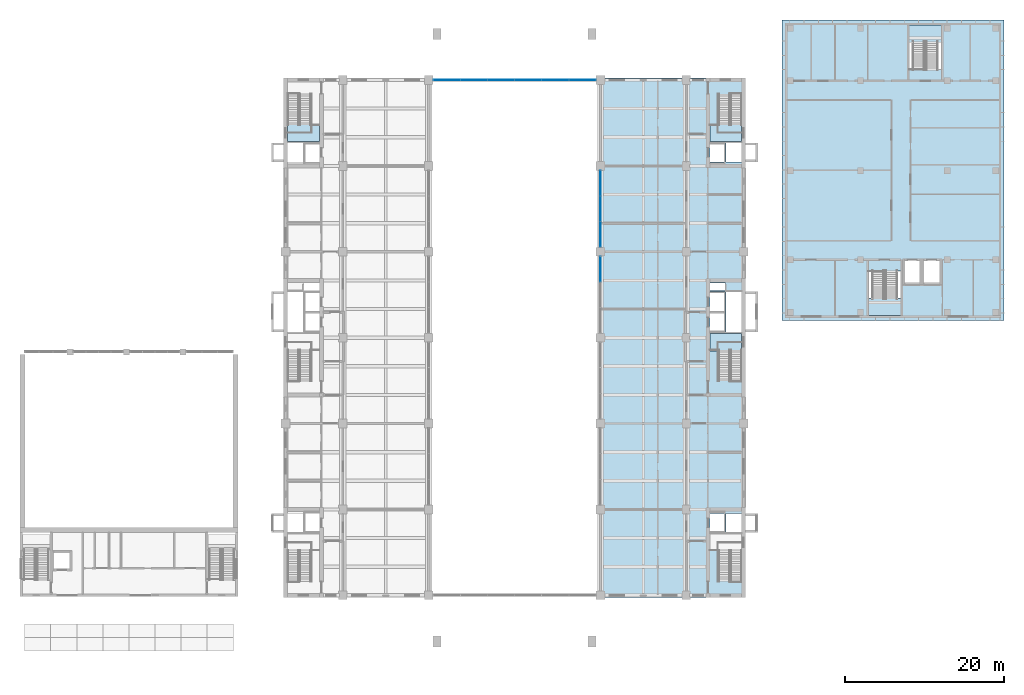
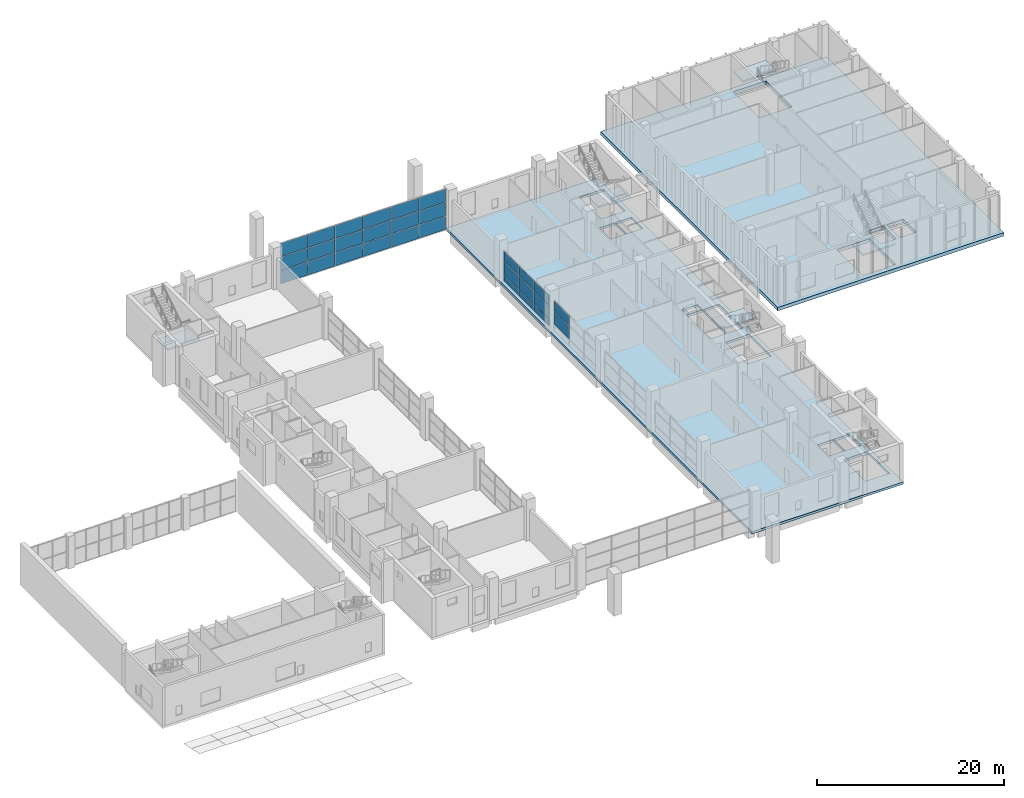
# One storey, part 16 of 33: 29 plates, 7 slabs, 8 elements without a shape of their own.
"""IFC4 building model written with IfcOpenShell, lengths in metres."""

import ifcopenshell
import ifcopenshell.guid

model = None  # the IFC model being written
_history = None  # IfcOwnerHistory: only IFC2X3 demands one
_inside = {}  # id of a spatial element -> (the spatial element, [elements in it])
_under = {}  # id of a project, library or spatial element -> (it, [spatial elements below it])
_declared = {}  # id of a project -> (the project, [libraries it declares])
_typed = {}  # id of a type object -> (the type object, [elements of that type])
_made_of = {}  # id of a material, layer set ... -> (it, [elements and type objects made of it])


def new_model(schema):
    """Start an empty IFC model of exactly this schema.

    Asked for "IFC4X3", IfcOpenShell would pick the latest addendum, in which some entities
    have other attributes; the version numbers below select the first issue.
    IFC2X3 requires an IfcOwnerHistory on every rooted entity: one is made here for all.
    """
    global model, _history
    if schema == "IFC4X3":
        model = ifcopenshell.file(schema_version=(4, 3, 0, 0))
    else:
        model = ifcopenshell.file(schema=schema)
    _inside.clear()
    _under.clear()
    _declared.clear()
    _typed.clear()
    _made_of.clear()
    _history = None
    if model.schema == "IFC2X3":
        org = make("IfcOrganization", Name="unknown")
        user = make(
            "IfcPersonAndOrganization",
            ThePerson=make("IfcPerson", FamilyName="unknown"),
            TheOrganization=org,
        )
        app = make(
            "IfcApplication",
            ApplicationDeveloper=org,
            Version="unknown",
            ApplicationFullName="unknown",
            ApplicationIdentifier="unknown",
        )
        _history = make(
            "IfcOwnerHistory",
            OwningUser=user,
            OwningApplication=app,
            ChangeAction="ADDED",
            CreationDate=0,
        )
    return model


def make(cls, **values):
    """One entity of the class cls with the attributes given. An attribute that is None is left unset."""
    return model.create_entity(
        cls, **{name: value for name, value in values.items() if value is not None}
    )


def rooted(cls, **values):
    """An entity with a GlobalId (a new one), such as an element, a storey or a relation."""
    return make(cls, GlobalId=ifcopenshell.guid.new(), OwnerHistory=_history, **values)


def si_unit(unit_type, name, prefix=None):
    """IfcSIUnit, for example si_unit("LENGTHUNIT", "METRE", prefix="MILLI")."""
    return make("IfcSIUnit", UnitType=unit_type, Prefix=prefix, Name=name)


def assignment(units):
    """IfcUnitAssignment: the units of a project."""
    return None if units is None else make("IfcUnitAssignment", Units=units)


def point(xyz):
    """IfcCartesianPoint."""
    return None if xyz is None else make("IfcCartesianPoint", Coordinates=xyz)


def direction(xyz):
    """IfcDirection."""
    return None if xyz is None else make("IfcDirection", DirectionRatios=xyz)


def frame(location, z_axis=None, x_axis=None):
    """IfcAxis2Placement3D, a coordinate frame: its origin and axes. An axis left out is left unset."""
    return make(
        "IfcAxis2Placement3D",
        Location=point(location),
        Axis=direction(z_axis),
        RefDirection=direction(x_axis),
    )


def frame_2d(location, x_axis=None):
    """IfcAxis2Placement2D, a coordinate frame in the plane: its origin and x axis."""
    return make(
        "IfcAxis2Placement2D", Location=point(location), RefDirection=direction(x_axis)
    )


def origin():
    """The frame at (0, 0, 0) with its axes left unset."""
    return frame((0.0, 0.0, 0.0))


def origin_2d():
    """The frame at (0, 0) in the plane with its x axis left unset."""
    return frame_2d((0.0, 0.0))


def place(relative_to, where):
    """IfcLocalPlacement: puts the frame where relative to a parent placement (None: the world)."""
    return make(
        "IfcLocalPlacement", PlacementRelTo=relative_to, RelativePlacement=where
    )


def context(
    kind, dimensions, precision=None, world=None, true_north=None, identifier=None
):
    """IfcGeometricRepresentationContext, for example the 3D "Model" context."""
    return make(
        "IfcGeometricRepresentationContext",
        ContextIdentifier=identifier,
        ContextType=kind,
        CoordinateSpaceDimension=dimensions,
        Precision=precision,
        WorldCoordinateSystem=world,
        TrueNorth=true_north,
    )


def subcontext(parent, identifier, kind, view, scale=None):
    """IfcGeometricRepresentationSubContext, for example "Body" below "Model"."""
    return make(
        "IfcGeometricRepresentationSubContext",
        ContextIdentifier=identifier,
        ContextType=kind,
        ParentContext=parent,
        TargetScale=scale,
        TargetView=view,
    )


def project(units=None, contexts=None):
    """IfcProject with its units and contexts."""
    return rooted(
        "IfcProject",
        Name="project",
        RepresentationContexts=contexts,
        UnitsInContext=assignment(units),
    )


def spatial(cls, under=None, at=None, **own):
    """A site, building, storey or space (cls), placed at a placement, below another one or the project."""
    s = rooted(cls, ObjectPlacement=at, **own)
    if under is not None:
        _under.setdefault(under.id(), (under, []))[1].append(s)
    return s


def polyline(points):
    """IfcPolyline through the points."""
    return make("IfcPolyline", Points=[point(p) for p in points])


def profile(cls, at=None, kind="AREA", **sizes):
    """A parametric profile (cls). Its sizes go by their IFC names, for example OverallWidth=200.0."""
    return make(cls, ProfileType=kind, Position=at, **sizes)


def rectangle(**sizes):
    """IfcRectangleProfileDef."""
    return profile("IfcRectangleProfileDef", **sizes)


def outline(outer, holes=None, kind="AREA"):
    """IfcArbitraryClosedProfileDef: a profile drawn as a closed curve; with holes, ...WithVoids."""
    if holes is None:
        return make("IfcArbitraryClosedProfileDef", ProfileType=kind, OuterCurve=outer)
    return make(
        "IfcArbitraryProfileDefWithVoids",
        ProfileType=kind,
        OuterCurve=outer,
        InnerCurves=holes,
    )


def extrude(swept, where, along, depth):
    """IfcExtrudedAreaSolid: the profile swept, set in the frame where, extruded along a direction by depth."""
    return make(
        "IfcExtrudedAreaSolid",
        SweptArea=swept,
        Position=where,
        ExtrudedDirection=direction(along),
        Depth=depth,
    )


def shape(context_of_items, identifier, shape_type, items):
    """IfcShapeRepresentation: the items that make up one representation, for example the "Body"."""
    return make(
        "IfcShapeRepresentation",
        ContextOfItems=context_of_items,
        RepresentationIdentifier=identifier,
        RepresentationType=shape_type,
        Items=items,
    )


def material(Name=None, Category=None):
    """IfcMaterial."""
    return make("IfcMaterial", Name=Name, Category=Category)


def layer(
    of_material, thickness, ventilated=None, Name=None, Category=None, Priority=None
):
    """IfcMaterialLayer: one layer of a wall or slab, of a material (None: an air gap)."""
    return make(
        "IfcMaterialLayer",
        Material=of_material,
        LayerThickness=thickness,
        IsVentilated=ventilated,
        Name=Name,
        Category=Category,
        Priority=Priority,
    )


def layer_set(layers, Name=None):
    """IfcMaterialLayerSet."""
    return make("IfcMaterialLayerSet", MaterialLayers=layers, LayerSetName=Name)


def made_of(thing, what):
    """Note that an element or type object is made of a material, layer set ...; save() writes the relation."""
    if what is not None:
        _made_of.setdefault(what.id(), (what, []))[1].append(thing)
    return thing


def type_object(cls, material=None, **own):
    """A type object (cls), such as IfcWallType, which elements share."""
    return made_of(rooted(cls, **own), material)


def element(
    cls,
    number,
    at=None,
    inside=None,
    cuts=None,
    type_object=None,
    material=None,
    context=None,
    identifier="Body",
    shape_type=None,
    held_by="IfcProductDefinitionShape",
    body=None,
    shapes=None,
    **own,
):
    """One element of the class cls, such as IfcWall. Its Tag is "e" and its number.

    at: its placement. inside: the storey or other place that contains it. cuts: it is an
    opening in that element (IfcRelVoidsElement). A single representation is given by context,
    identifier, shape_type and body (its items); several are given by shapes. held_by: the class
    of the entity that holds the representations. save() writes the other relations.
    """
    e = rooted(cls, Tag="e%d" % number, ObjectPlacement=at, **own)
    if body is not None:
        shapes = [shape(context, identifier, shape_type, body)]
    if shapes is not None:
        e.Representation = make(held_by, Representations=shapes)
    if inside is not None:
        _inside.setdefault(inside.id(), (inside, []))[1].append(e)
    if cuts is not None:
        rooted(
            "IfcRelVoidsElement", RelatingBuildingElement=cuts, RelatedOpeningElement=e
        )
    if type_object is not None:
        _typed.setdefault(type_object.id(), (type_object, []))[1].append(e)
    return made_of(e, material)


def aggregate(whole, parts):
    """IfcRelAggregates: a whole, such as a stair, and the parts it consists of."""
    return rooted("IfcRelAggregates", RelatingObject=whole, RelatedObjects=parts)


def save(model, path):
    """Write the relations noted so far, then the file.

    IfcRelAggregates (storeys below a building ...), IfcRelContainedInSpatialStructure (elements
    in a storey), IfcRelDefinesByType, IfcRelAssociatesMaterial and IfcRelDeclares: one each for
    every whole, place, type object, material and project.
    """
    for whole, parts in _under.values():
        aggregate(whole, parts)
    for where, things in _inside.values():
        rooted(
            "IfcRelContainedInSpatialStructure",
            RelatedElements=things,
            RelatingStructure=where,
        )
    for kind, things in _typed.values():
        rooted("IfcRelDefinesByType", RelatedObjects=things, RelatingType=kind)
    for what, things in _made_of.values():
        rooted("IfcRelAssociatesMaterial", RelatedObjects=things, RelatingMaterial=what)
    for by, libraries in _declared.values():
        rooted("IfcRelDeclares", RelatingContext=by, RelatedDefinitions=libraries)
    model.write(path)


model = new_model("IFC4")

# Units and contexts
model_context = context("Model", 3, precision=1e-05, world=origin(), true_north=direction((0.0, 1.0)))
body_context = subcontext(model_context, "Body", "Model", "MODEL_VIEW")
ifc_project = project(units=[si_unit("LENGTHUNIT", "METRE"), si_unit("AREAUNIT", "SQUARE_METRE"), si_unit("VOLUMEUNIT", "CUBIC_METRE"), si_unit("PLANEANGLEUNIT", "RADIAN"), si_unit("MASSUNIT", "GRAM", prefix="KILO")], contexts=[model_context])

# Site, building, storey
site_placement = place(None, origin())
site = spatial("IfcSite", under=ifc_project, at=site_placement, CompositionType="ELEMENT")
building_placement = place(site_placement, origin())
building = spatial("IfcBuilding", under=site, at=building_placement, Name="Basin Gate Institute", CompositionType="ELEMENT")
storey_placement = place(building_placement, frame((0.0, 0.0, 6.0)))
storey = spatial("IfcBuildingStorey", under=building, at=storey_placement, Name="L01", CompositionType="ELEMENT", Elevation=6.0)

# Curtain wall, plates
ifc_material_1 = material(Name="Aluminium and glass curtain wall", Category="aluminium")
ifc_layer_1 = layer(ifc_material_1, 0.14990234375)
ifc_layer_set_1 = layer_set([ifc_layer_1], Name="Atrium curtain wall CW81")
curtain_wall_type_1 = type_object("IfcCurtainWallType", Name="Atrium curtain wall CW81", PredefinedType="NOTDEFINED", material=ifc_layer_set_1)
curtain_wall_1_placement = place(storey_placement, origin())
curtain_wall_1 = element("IfcCurtainWall", 1, at=curtain_wall_1_placement, inside=storey, type_object=curtain_wall_type_1, material=ifc_layer_set_1, Name="Atrium end screen N L01", PredefinedType="NOTDEFINED")
ifc_material_2 = material(Name="Toughened glass", Category="glass")
ifc_layer_2 = layer(ifc_material_2, 0.028076171875)
ifc_layer_set_2 = layer_set([ifc_layer_2], Name="Atrium glass panel PN81")
plate_type_1 = type_object("IfcPlateType", Name="Atrium glass panel PN81", PredefinedType="CURTAIN_PANEL", material=ifc_layer_set_2)
plate_1_placement = place(storey_placement, frame((81.473388671875, 99.89990234375, 0.06005859375), z_axis=(0.0, 0.0, 1.0), x_axis=(1.0, 0.0, 0.0)))
plate_1 = element("IfcPlate", 2, at=plate_1_placement, type_object=plate_type_1, material=ifc_layer_set_2, Name="CW81 panel 1.1", PredefinedType="CURTAIN_PANEL", context=body_context, shape_type="SweptSolid", body=[
    extrude(rectangle(XDim=3.32666015625, YDim=0.028076171875, at=origin_2d()), origin(), (0.0, 0.0, 1.0), 1.7099609375),
])
plate_2_placement = place(storey_placement, frame((81.473388671875, 99.89990234375, 1.830078125), z_axis=(0.0, 0.0, 1.0), x_axis=(1.0, 0.0, 0.0)))
plate_2 = element("IfcPlate", 3, at=plate_2_placement, type_object=plate_type_1, material=ifc_layer_set_2, Name="CW81 panel 1.2", PredefinedType="CURTAIN_PANEL", context=body_context, shape_type="SweptSolid", body=[
    extrude(rectangle(XDim=3.32666015625, YDim=0.028076171875, at=origin_2d()), origin(), (0.0, 0.0, 1.0), 1.739990234375),
])
plate_3_placement = place(storey_placement, frame((81.473388671875, 99.89990234375, 3.630126953125), z_axis=(0.0, 0.0, 1.0), x_axis=(1.0, 0.0, 0.0)))
plate_3 = element("IfcPlate", 4, at=plate_3_placement, type_object=plate_type_1, material=ifc_layer_set_2, Name="CW81 panel 1.3", PredefinedType="CURTAIN_PANEL", context=body_context, shape_type="SweptSolid", body=[
    extrude(rectangle(XDim=3.32666015625, YDim=0.028076171875, at=origin_2d()), origin(), (0.0, 0.0, 1.0), 1.7099609375),
])
plate_4_placement = place(storey_placement, frame((84.875, 99.89990234375, 0.06005859375), z_axis=(0.0, 0.0, 1.0), x_axis=(1.0, 0.0, 0.0)))
plate_4 = element("IfcPlate", 5, at=plate_4_placement, type_object=plate_type_1, material=ifc_layer_set_2, Name="CW81 panel 2.1", PredefinedType="CURTAIN_PANEL", context=body_context, shape_type="SweptSolid", body=[
    extrude(rectangle(XDim=3.356689453125, YDim=0.028076171875, at=origin_2d()), origin(), (0.0, 0.0, 1.0), 1.7099609375),
])
plate_5_placement = place(storey_placement, frame((84.875, 99.89990234375, 1.830078125), z_axis=(0.0, 0.0, 1.0), x_axis=(1.0, 0.0, 0.0)))
plate_5 = element("IfcPlate", 6, at=plate_5_placement, type_object=plate_type_1, material=ifc_layer_set_2, Name="CW81 panel 2.2", PredefinedType="CURTAIN_PANEL", context=body_context, shape_type="SweptSolid", body=[
    extrude(rectangle(XDim=3.356689453125, YDim=0.028076171875, at=origin_2d()), origin(), (0.0, 0.0, 1.0), 1.739990234375),
])
plate_6_placement = place(storey_placement, frame((84.875, 99.89990234375, 3.630126953125), z_axis=(0.0, 0.0, 1.0), x_axis=(1.0, 0.0, 0.0)))
plate_6 = element("IfcPlate", 7, at=plate_6_placement, type_object=plate_type_1, material=ifc_layer_set_2, Name="CW81 panel 2.3", PredefinedType="CURTAIN_PANEL", context=body_context, shape_type="SweptSolid", body=[
    extrude(rectangle(XDim=3.356689453125, YDim=0.028076171875, at=origin_2d()), origin(), (0.0, 0.0, 1.0), 1.7099609375),
])
plate_7_placement = place(storey_placement, frame((88.291748046875, 99.89990234375, 0.06005859375), z_axis=(0.0, 0.0, 1.0), x_axis=(1.0, 0.0, 0.0)))
plate_7 = element("IfcPlate", 8, at=plate_7_placement, type_object=plate_type_1, material=ifc_layer_set_2, Name="CW81 panel 3.1", PredefinedType="CURTAIN_PANEL", context=body_context, shape_type="SweptSolid", body=[
    extrude(rectangle(XDim=3.356689453125, YDim=0.028076171875, at=origin_2d()), origin(), (0.0, 0.0, 1.0), 1.7099609375),
])
plate_8_placement = place(storey_placement, frame((88.291748046875, 99.89990234375, 1.830078125), z_axis=(0.0, 0.0, 1.0), x_axis=(1.0, 0.0, 0.0)))
plate_8 = element("IfcPlate", 9, at=plate_8_placement, type_object=plate_type_1, material=ifc_layer_set_2, Name="CW81 panel 3.2", PredefinedType="CURTAIN_PANEL", context=body_context, shape_type="SweptSolid", body=[
    extrude(rectangle(XDim=3.356689453125, YDim=0.028076171875, at=origin_2d()), origin(), (0.0, 0.0, 1.0), 1.739990234375),
])
plate_9_placement = place(storey_placement, frame((88.291748046875, 99.89990234375, 3.630126953125), z_axis=(0.0, 0.0, 1.0), x_axis=(1.0, 0.0, 0.0)))
plate_9 = element("IfcPlate", 10, at=plate_9_placement, type_object=plate_type_1, material=ifc_layer_set_2, Name="CW81 panel 3.3", PredefinedType="CURTAIN_PANEL", context=body_context, shape_type="SweptSolid", body=[
    extrude(rectangle(XDim=3.356689453125, YDim=0.028076171875, at=origin_2d()), origin(), (0.0, 0.0, 1.0), 1.7099609375),
])
plate_10_placement = place(storey_placement, frame((91.708251953125, 99.89990234375, 0.06005859375), z_axis=(0.0, 0.0, 1.0), x_axis=(1.0, 0.0, 0.0)))
plate_10 = element("IfcPlate", 11, at=plate_10_placement, type_object=plate_type_1, material=ifc_layer_set_2, Name="CW81 panel 4.1", PredefinedType="CURTAIN_PANEL", context=body_context, shape_type="SweptSolid", body=[
    extrude(rectangle(XDim=3.356689453125, YDim=0.028076171875, at=origin_2d()), origin(), (0.0, 0.0, 1.0), 1.7099609375),
])
plate_11_placement = place(storey_placement, frame((91.708251953125, 99.89990234375, 1.830078125), z_axis=(0.0, 0.0, 1.0), x_axis=(1.0, 0.0, 0.0)))
plate_11 = element("IfcPlate", 12, at=plate_11_placement, type_object=plate_type_1, material=ifc_layer_set_2, Name="CW81 panel 4.2", PredefinedType="CURTAIN_PANEL", context=body_context, shape_type="SweptSolid", body=[
    extrude(rectangle(XDim=3.356689453125, YDim=0.028076171875, at=origin_2d()), origin(), (0.0, 0.0, 1.0), 1.739990234375),
])
plate_12_placement = place(storey_placement, frame((91.708251953125, 99.89990234375, 3.630126953125), z_axis=(0.0, 0.0, 1.0), x_axis=(1.0, 0.0, 0.0)))
plate_12 = element("IfcPlate", 13, at=plate_12_placement, type_object=plate_type_1, material=ifc_layer_set_2, Name="CW81 panel 4.3", PredefinedType="CURTAIN_PANEL", context=body_context, shape_type="SweptSolid", body=[
    extrude(rectangle(XDim=3.356689453125, YDim=0.028076171875, at=origin_2d()), origin(), (0.0, 0.0, 1.0), 1.7099609375),
])
plate_13_placement = place(storey_placement, frame((95.125, 99.89990234375, 0.06005859375), z_axis=(0.0, 0.0, 1.0), x_axis=(1.0, 0.0, 0.0)))
plate_13 = element("IfcPlate", 14, at=plate_13_placement, type_object=plate_type_1, material=ifc_layer_set_2, Name="CW81 panel 5.1", PredefinedType="CURTAIN_PANEL", context=body_context, shape_type="SweptSolid", body=[
    extrude(rectangle(XDim=3.356689453125, YDim=0.028076171875, at=origin_2d()), origin(), (0.0, 0.0, 1.0), 1.7099609375),
])
plate_14_placement = place(storey_placement, frame((95.125, 99.89990234375, 1.830078125), z_axis=(0.0, 0.0, 1.0), x_axis=(1.0, 0.0, 0.0)))
plate_14 = element("IfcPlate", 15, at=plate_14_placement, type_object=plate_type_1, material=ifc_layer_set_2, Name="CW81 panel 5.2", PredefinedType="CURTAIN_PANEL", context=body_context, shape_type="SweptSolid", body=[
    extrude(rectangle(XDim=3.356689453125, YDim=0.028076171875, at=origin_2d()), origin(), (0.0, 0.0, 1.0), 1.739990234375),
])
plate_15_placement = place(storey_placement, frame((95.125, 99.89990234375, 3.630126953125), z_axis=(0.0, 0.0, 1.0), x_axis=(1.0, 0.0, 0.0)))
plate_15 = element("IfcPlate", 16, at=plate_15_placement, type_object=plate_type_1, material=ifc_layer_set_2, Name="CW81 panel 5.3", PredefinedType="CURTAIN_PANEL", context=body_context, shape_type="SweptSolid", body=[
    extrude(rectangle(XDim=3.356689453125, YDim=0.028076171875, at=origin_2d()), origin(), (0.0, 0.0, 1.0), 1.7099609375),
])
plate_16_placement = place(storey_placement, frame((98.526611328125, 99.89990234375, 0.06005859375), z_axis=(0.0, 0.0, 1.0), x_axis=(1.0, 0.0, 0.0)))
plate_16 = element("IfcPlate", 17, at=plate_16_placement, type_object=plate_type_1, material=ifc_layer_set_2, Name="CW81 panel 6.1", PredefinedType="CURTAIN_PANEL", context=body_context, shape_type="SweptSolid", body=[
    extrude(rectangle(XDim=3.32666015625, YDim=0.028076171875, at=origin_2d()), origin(), (0.0, 0.0, 1.0), 1.7099609375),
])
plate_17_placement = place(storey_placement, frame((98.526611328125, 99.89990234375, 1.830078125), z_axis=(0.0, 0.0, 1.0), x_axis=(1.0, 0.0, 0.0)))
plate_17 = element("IfcPlate", 18, at=plate_17_placement, type_object=plate_type_1, material=ifc_layer_set_2, Name="CW81 panel 6.2", PredefinedType="CURTAIN_PANEL", context=body_context, shape_type="SweptSolid", body=[
    extrude(rectangle(XDim=3.32666015625, YDim=0.028076171875, at=origin_2d()), origin(), (0.0, 0.0, 1.0), 1.739990234375),
])
plate_18_placement = place(storey_placement, frame((98.526611328125, 99.89990234375, 3.630126953125), z_axis=(0.0, 0.0, 1.0), x_axis=(1.0, 0.0, 0.0)))
plate_18 = element("IfcPlate", 19, at=plate_18_placement, type_object=plate_type_1, material=ifc_layer_set_2, Name="CW81 panel 6.3", PredefinedType="CURTAIN_PANEL", context=body_context, shape_type="SweptSolid", body=[
    extrude(rectangle(XDim=3.32666015625, YDim=0.028076171875, at=origin_2d()), origin(), (0.0, 0.0, 1.0), 1.7099609375),
])
aggregate(curtain_wall_1, [plate_1, plate_2, plate_3, plate_4, plate_5, plate_6, plate_7, plate_8, plate_9, plate_10, plate_11, plate_12, plate_13, plate_14, plate_15, plate_16, plate_17, plate_18])

# Stair, slab
ifc_material_3 = material(Name="Concrete 40 MPa", Category="concrete")
stair_type_1 = type_object("IfcStairType", Name="Block stair ST", PredefinedType="HALF_TURN_STAIR", material=ifc_material_3)
stair_1_placement = place(storey_placement, origin())
stair_1 = element("IfcStair", 20, at=stair_1_placement, inside=storey, type_object=stair_type_1, material=ifc_material_3, Name="Clean block stair ST-C2 L01", PredefinedType="HALF_TURN_STAIR")
ifc_material_4 = material(Name="Concrete 40 MPa", Category="concrete")
ifc_layer_3 = layer(ifc_material_4, 0.199951171875)
ifc_layer_set_3 = layer_set([ifc_layer_3], Name="Concrete 40 MPa")
slab_type_1 = type_object("IfcSlabType", Name="Block stair landing", PredefinedType="LANDING", material=ifc_layer_set_3)
slab_1_placement = place(storey_placement, frame((0.0, 0.0, 2.5)))
slab_1 = element("IfcSlab", 21, at=slab_1_placement, type_object=slab_type_1, material=ifc_layer_set_3, Name="ST-C2 landing 1", PredefinedType="LANDING", context=body_context, shape_type="SweptSolid", body=[
    extrude(outline(polyline([(134.52490234375, 70.300048828125), (138.574951171875, 70.300048828125), (138.574951171875, 72.455078125), (134.52490234375, 72.455078125), (134.52490234375, 70.300048828125)])), origin(), (0.0, 0.0, 1.0), 0.199951171875),
])
aggregate(stair_1, [slab_1])

stair_2_placement = place(storey_placement, origin())
stair_2 = element("IfcStair", 22, at=stair_2_placement, inside=storey, type_object=stair_type_1, material=ifc_material_3, Name="Clean block stair ST-C6 L01", PredefinedType="HALF_TURN_STAIR")
slab_2_placement = place(storey_placement, frame((0.0, 0.0, 2.5)))
slab_2 = element("IfcSlab", 23, at=slab_2_placement, type_object=slab_type_1, material=ifc_layer_set_3, Name="ST-C6 landing 1", PredefinedType="LANDING", context=body_context, shape_type="SweptSolid", body=[
    extrude(outline(polyline([(139.625, 104.64501953125), (143.675048828125, 104.64501953125), (143.675048828125, 106.800048828125), (139.625, 106.800048828125), (139.625, 104.64501953125)])), origin(), (0.0, 0.0, 1.0), 0.199951171875),
])
aggregate(stair_2, [slab_2])

# Slabs
ifc_material_5 = material(Name="Concrete 40 MPa", Category="concrete")
ifc_layer_4 = layer(ifc_material_5, 0.300048828125)
ifc_layer_set_4 = layer_set([ifc_layer_4], Name="Concrete 40 MPa")
slab_type_2 = type_object("IfcSlabType", Name="Slab SL3 R180", PredefinedType="FLOOR", material=ifc_layer_set_4)
slab_3_placement = place(storey_placement, frame((0.0, 0.0, -0.300048828125)))
element("IfcSlab", 24, at=slab_3_placement, inside=storey, type_object=slab_type_2, material=ifc_layer_set_4, Name="SLAB/L01/E", PredefinedType="FLOOR", context=body_context, shape_type="SweptSolid", body=[
    extrude(outline(polyline([(119.050048828125, 100.14990234375), (100.39990234375, 100.14990234375), (100.39990234375, 34.85009765625), (119.050048828125, 34.85009765625), (119.050048828125, 100.14990234375)]), holes=[polyline([(118.550048828125, 41.6298828125), (115.60009765625, 41.6298828125), (115.60009765625, 36.969970703125), (118.550048828125, 36.969970703125), (118.550048828125, 41.6298828125)]), polyline([(118.550048828125, 66.830078125), (115.60009765625, 66.830078125), (115.60009765625, 62.169921875), (118.550048828125, 62.169921875), (118.550048828125, 66.830078125)]), polyline([(118.550048828125, 98.030029296875), (115.60009765625, 98.030029296875), (115.60009765625, 93.3701171875), (118.550048828125, 93.3701171875), (118.550048828125, 98.030029296875)]), polyline([(118.550048828125, 45.39990234375), (116.60009765625, 45.39990234375), (116.60009765625, 43.0), (118.550048828125, 43.0), (118.550048828125, 45.39990234375)]), polyline([(118.550048828125, 73.300048828125), (116.60009765625, 73.300048828125), (116.60009765625, 68.199951171875), (118.550048828125, 68.199951171875), (118.550048828125, 73.300048828125)]), polyline([(116.5, 74.39990234375), (114.550048828125, 74.39990234375), (114.550048828125, 73.39990234375), (116.5, 73.39990234375), (116.5, 74.39990234375)]), polyline([(118.550048828125, 92.0), (116.60009765625, 92.0), (116.60009765625, 89.60009765625), (118.550048828125, 89.60009765625), (118.550048828125, 92.0)]), polyline([(116.5, 45.39990234375), (114.550048828125, 45.39990234375), (114.550048828125, 43.0), (116.5, 43.0), (116.5, 45.39990234375)]), polyline([(116.5, 68.199951171875), (114.550048828125, 68.199951171875), (114.550048828125, 73.300048828125), (116.5, 73.300048828125), (116.5, 68.199951171875)]), polyline([(116.5, 92.0), (114.550048828125, 92.0), (114.550048828125, 89.60009765625), (116.5, 89.60009765625), (116.5, 92.0)])]), origin(), (0.0, 0.0, 1.0), 0.300048828125),
])
ifc_material_6 = material(Name="Concrete 40 MPa", Category="concrete")
ifc_layer_5 = layer(ifc_material_6, 0.449951171875)
ifc_layer_set_5 = layer_set([ifc_layer_5], Name="Concrete 40 MPa")
slab_type_3 = type_object("IfcSlabType", Name="Slab SL845 R180", PredefinedType="FLOOR", material=ifc_layer_set_5)
slab_4_placement = place(storey_placement, frame((0.0, 0.0, -0.449951171875)))
element("IfcSlab", 25, at=slab_4_placement, inside=storey, type_object=slab_type_3, material=ifc_layer_set_5, Name="Clean block floor slab R180 L01", PredefinedType="FLOOR", context=body_context, shape_type="SweptSolid", body=[
    extrude(outline(polyline([(123.64990234375, 107.449951171875), (123.64990234375, 69.64990234375), (151.550048828125, 69.64990234375), (151.550048828125, 107.449951171875), (123.64990234375, 107.449951171875)]), holes=[polyline([(134.52490234375, 75.85498046875), (138.574951171875, 75.85498046875), (138.574951171875, 70.300048828125), (134.52490234375, 70.300048828125), (134.52490234375, 75.85498046875)]), polyline([(139.074951171875, 77.175048828125), (140.97509765625, 77.175048828125), (140.97509765625, 74.425048828125), (139.074951171875, 74.425048828125), (139.074951171875, 77.175048828125)]), polyline([(141.47509765625, 77.175048828125), (143.47509765625, 77.175048828125), (143.47509765625, 74.425048828125), (141.47509765625, 74.425048828125), (141.47509765625, 77.175048828125)]), polyline([(139.625, 106.800048828125), (143.675048828125, 106.800048828125), (143.675048828125, 101.2451171875), (139.625, 101.2451171875), (139.625, 106.800048828125)])]), origin(), (0.0, 0.0, 1.0), 0.449951171875),
])

# Curtain wall, plate
ifc_material_7 = material(Name="Fire-resistant glazing in steel-free frame", Category="steel")
ifc_layer_6 = layer(ifc_material_7, 0.199951171875)
ifc_layer_set_6 = layer_set([ifc_layer_6], Name="Fire-resistant glazing in steel-free frame")
curtain_wall_type_2 = type_object("IfcCurtainWallType", Name="Atrium rated curtain wall CW3", PredefinedType="NOTDEFINED", material=ifc_layer_set_6)
curtain_wall_2_placement = place(storey_placement, origin())
curtain_wall_2 = element("IfcCurtainWall", 26, at=curtain_wall_2_placement, inside=storey, type_object=curtain_wall_type_2, material=ifc_layer_set_6, Name="Atrium rated curtain wall E wing atrium bay 4 L01", PredefinedType="NOTDEFINED")
ifc_material_8 = material(Name="Fire-resisting board panel")
ifc_layer_7 = layer(ifc_material_8, 0.050048828125)
ifc_layer_set_7 = layer_set([ifc_layer_7], Name="Spandrel panel PN4")
plate_type_2 = type_object("IfcPlateType", Name="Spandrel panel PN4", PredefinedType="CURTAIN_PANEL", material=ifc_layer_set_7)
plate_19_placement = place(storey_placement, frame((100.800048828125, 76.118408203125, 2.72998046875), z_axis=(0.0, 0.0, 1.0), x_axis=(0.0, 1.0, 0.0)))
plate_19 = element("IfcPlate", 27, at=plate_19_placement, type_object=plate_type_2, material=ifc_layer_set_7, Name="CW3 spandrel panel 3.3", PredefinedType="CURTAIN_PANEL", context=body_context, shape_type="SweptSolid", body=[
    extrude(rectangle(XDim=3.143310546875, YDim=0.050048828125, at=origin_2d()), origin(), (0.0, 0.0, 1.0), 1.2099609375),
])

# Curtain wall, plates
curtain_wall_3_placement = place(storey_placement, origin())
curtain_wall_3 = element("IfcCurtainWall", 28, at=curtain_wall_3_placement, inside=storey, type_object=curtain_wall_type_2, material=ifc_layer_set_6, Name="Atrium rated curtain wall E wing atrium bay 5 L01", PredefinedType="NOTDEFINED")
plate_20_placement = place(storey_placement, frame((100.800048828125, 80.481689453125, 0.06005859375), z_axis=(0.0, 0.0, 1.0), x_axis=(0.0, 1.0, 0.0)))
plate_20 = element("IfcPlate", 29, at=plate_20_placement, type_object=plate_type_2, material=ifc_layer_set_7, Name="CW3 spandrel panel 1.1", PredefinedType="CURTAIN_PANEL", context=body_context, shape_type="SweptSolid", body=[
    extrude(rectangle(XDim=3.143310546875, YDim=0.050048828125, at=origin_2d()), origin(), (0.0, 0.0, 1.0), 0.81005859375),
])
plate_21_placement = place(storey_placement, frame((100.800048828125, 80.481689453125, 2.72998046875), z_axis=(0.0, 0.0, 1.0), x_axis=(0.0, 1.0, 0.0)))
plate_21 = element("IfcPlate", 30, at=plate_21_placement, type_object=plate_type_2, material=ifc_layer_set_7, Name="CW3 spandrel panel 1.3", PredefinedType="CURTAIN_PANEL", context=body_context, shape_type="SweptSolid", body=[
    extrude(rectangle(XDim=3.143310546875, YDim=0.050048828125, at=origin_2d()), origin(), (0.0, 0.0, 1.0), 1.2099609375),
])
plate_22_placement = place(storey_placement, frame((100.800048828125, 83.699951171875, 0.06005859375), z_axis=(0.0, 0.0, 1.0), x_axis=(0.0, 1.0, 0.0)))
plate_22 = element("IfcPlate", 31, at=plate_22_placement, type_object=plate_type_2, material=ifc_layer_set_7, Name="CW3 spandrel panel 2.1", PredefinedType="CURTAIN_PANEL", context=body_context, shape_type="SweptSolid", body=[
    extrude(rectangle(XDim=3.17333984375, YDim=0.050048828125, at=origin_2d()), origin(), (0.0, 0.0, 1.0), 0.81005859375),
])
plate_23_placement = place(storey_placement, frame((100.800048828125, 83.699951171875, 2.72998046875), z_axis=(0.0, 0.0, 1.0), x_axis=(0.0, 1.0, 0.0)))
plate_23 = element("IfcPlate", 32, at=plate_23_placement, type_object=plate_type_2, material=ifc_layer_set_7, Name="CW3 spandrel panel 2.3", PredefinedType="CURTAIN_PANEL", context=body_context, shape_type="SweptSolid", body=[
    extrude(rectangle(XDim=3.17333984375, YDim=0.050048828125, at=origin_2d()), origin(), (0.0, 0.0, 1.0), 1.2099609375),
])
plate_24_placement = place(storey_placement, frame((100.800048828125, 86.918212890625, 0.06005859375), z_axis=(0.0, 0.0, 1.0), x_axis=(0.0, 1.0, 0.0)))
plate_24 = element("IfcPlate", 33, at=plate_24_placement, type_object=plate_type_2, material=ifc_layer_set_7, Name="CW3 spandrel panel 3.1", PredefinedType="CURTAIN_PANEL", context=body_context, shape_type="SweptSolid", body=[
    extrude(rectangle(XDim=3.143310546875, YDim=0.050048828125, at=origin_2d()), origin(), (0.0, 0.0, 1.0), 0.81005859375),
])
plate_25_placement = place(storey_placement, frame((100.800048828125, 86.918212890625, 2.72998046875), z_axis=(0.0, 0.0, 1.0), x_axis=(0.0, 1.0, 0.0)))
plate_25 = element("IfcPlate", 34, at=plate_25_placement, type_object=plate_type_2, material=ifc_layer_set_7, Name="CW3 spandrel panel 3.3", PredefinedType="CURTAIN_PANEL", context=body_context, shape_type="SweptSolid", body=[
    extrude(rectangle(XDim=3.143310546875, YDim=0.050048828125, at=origin_2d()), origin(), (0.0, 0.0, 1.0), 1.2099609375),
])

# Stair, slab
ifc_material_9 = material(Name="Concrete 40 MPa", Category="concrete")
stair_type_2 = type_object("IfcStairType", Name="Stair ST", PredefinedType="HALF_TURN_STAIR", material=ifc_material_9)
stair_3_placement = place(storey_placement, origin())
stair_3 = element("IfcStair", 35, at=stair_3_placement, inside=storey, type_object=stair_type_2, material=ifc_material_9, Name="Special safe stair ST-WN L01", PredefinedType="HALF_TURN_STAIR")
ifc_material_10 = material(Name="Concrete 40 MPa", Category="concrete")
ifc_layer_8 = layer(ifc_material_10, 0.199951171875)
ifc_layer_set_8 = layer_set([ifc_layer_8], Name="Concrete 40 MPa")
slab_type_4 = type_object("IfcSlabType", Name="Stair landing LN REI 180", PredefinedType="LANDING", material=ifc_layer_set_8)
slab_5_placement = place(storey_placement, frame((0.0, 0.0, 2.5)))
slab_5 = element("IfcSlab", 36, at=slab_5_placement, type_object=slab_type_4, material=ifc_layer_set_8, Name="Stair landing ST-WN-L1 L01", PredefinedType="LANDING", context=body_context, shape_type="SweptSolid", body=[
    extrude(outline(polyline([(61.449951171875, 92.14990234375), (65.449951171875, 92.14990234375), (65.449951171875, 94.35009765625), (61.449951171875, 94.35009765625), (61.449951171875, 92.14990234375)])), origin(), (0.0, 0.0, 1.0), 0.199951171875),
])
aggregate(stair_3, [slab_5])

stair_4_placement = place(storey_placement, origin())
stair_4 = element("IfcStair", 37, at=stair_4_placement, inside=storey, type_object=stair_type_2, material=ifc_material_9, Name="Special safe stair ST-EM L01", PredefinedType="HALF_TURN_STAIR")
slab_6_placement = place(storey_placement, frame((0.0, 0.0, 2.5)))
slab_6 = element("IfcSlab", 38, at=slab_6_placement, type_object=slab_type_4, material=ifc_layer_set_8, Name="Stair landing ST-EM-L1 L01", PredefinedType="LANDING", context=body_context, shape_type="SweptSolid", body=[
    extrude(outline(polyline([(118.550048828125, 68.050048828125), (114.550048828125, 68.050048828125), (114.550048828125, 65.85009765625), (118.550048828125, 65.85009765625), (118.550048828125, 68.050048828125)])), origin(), (0.0, 0.0, 1.0), 0.199951171875),
])
aggregate(stair_4, [slab_6])

stair_5_placement = place(storey_placement, origin())
stair_5 = element("IfcStair", 39, at=stair_5_placement, inside=storey, type_object=stair_type_2, material=ifc_material_9, Name="Special safe stair ST-EN L01", PredefinedType="HALF_TURN_STAIR")
slab_7_placement = place(storey_placement, frame((0.0, 0.0, 2.5)))
slab_7 = element("IfcSlab", 40, at=slab_7_placement, type_object=slab_type_4, material=ifc_layer_set_8, Name="Stair landing ST-EN-L1 L01", PredefinedType="LANDING", context=body_context, shape_type="SweptSolid", body=[
    extrude(outline(polyline([(118.550048828125, 94.35009765625), (114.550048828125, 94.35009765625), (114.550048828125, 92.14990234375), (118.550048828125, 92.14990234375), (118.550048828125, 94.35009765625)])), origin(), (0.0, 0.0, 1.0), 0.199951171875),
])
aggregate(stair_5, [slab_7])

# Plate
ifc_material_11 = material(Name="Fire-resistant glazing", Category="glass")
ifc_layer_9 = layer(ifc_material_11, 0.0400390625)
ifc_layer_set_9 = layer_set([ifc_layer_9], Name="Vision panel PN3")
plate_type_3 = type_object("IfcPlateType", Name="Vision panel PN3", PredefinedType="CURTAIN_PANEL", material=ifc_layer_set_9)
plate_26_placement = place(storey_placement, frame((100.800048828125, 76.118408203125, 0.93017578125), z_axis=(0.0, 0.0, 1.0), x_axis=(0.0, 1.0, 0.0)))
plate_26 = element("IfcPlate", 41, at=plate_26_placement, type_object=plate_type_3, material=ifc_layer_set_9, Name="CW3 vision panel 3.2", PredefinedType="CURTAIN_PANEL", context=body_context, shape_type="SweptSolid", body=[
    extrude(rectangle(XDim=3.143310546875, YDim=0.0400390625, at=origin_2d()), origin(), (0.0, 0.0, 1.0), 1.739990234375),
])

aggregate(curtain_wall_2, [plate_26, plate_19])

plate_27_placement = place(storey_placement, frame((100.800048828125, 80.481689453125, 0.93017578125), z_axis=(0.0, 0.0, 1.0), x_axis=(0.0, 1.0, 0.0)))
plate_27 = element("IfcPlate", 42, at=plate_27_placement, type_object=plate_type_3, material=ifc_layer_set_9, Name="CW3 vision panel 1.2", PredefinedType="CURTAIN_PANEL", context=body_context, shape_type="SweptSolid", body=[
    extrude(rectangle(XDim=3.143310546875, YDim=0.0400390625, at=origin_2d()), origin(), (0.0, 0.0, 1.0), 1.739990234375),
])

plate_28_placement = place(storey_placement, frame((100.800048828125, 83.699951171875, 0.93017578125), z_axis=(0.0, 0.0, 1.0), x_axis=(0.0, 1.0, 0.0)))
plate_28 = element("IfcPlate", 43, at=plate_28_placement, type_object=plate_type_3, material=ifc_layer_set_9, Name="CW3 vision panel 2.2", PredefinedType="CURTAIN_PANEL", context=body_context, shape_type="SweptSolid", body=[
    extrude(rectangle(XDim=3.17333984375, YDim=0.0400390625, at=origin_2d()), origin(), (0.0, 0.0, 1.0), 1.739990234375),
])

plate_29_placement = place(storey_placement, frame((100.800048828125, 86.918212890625, 0.93017578125), z_axis=(0.0, 0.0, 1.0), x_axis=(0.0, 1.0, 0.0)))
plate_29 = element("IfcPlate", 44, at=plate_29_placement, type_object=plate_type_3, material=ifc_layer_set_9, Name="CW3 vision panel 3.2", PredefinedType="CURTAIN_PANEL", context=body_context, shape_type="SweptSolid", body=[
    extrude(rectangle(XDim=3.143310546875, YDim=0.0400390625, at=origin_2d()), origin(), (0.0, 0.0, 1.0), 1.739990234375),
])

aggregate(curtain_wall_3, [plate_20, plate_27, plate_21, plate_22, plate_28, plate_23, plate_24, plate_29, plate_25])

save(model, "model.ifc")
